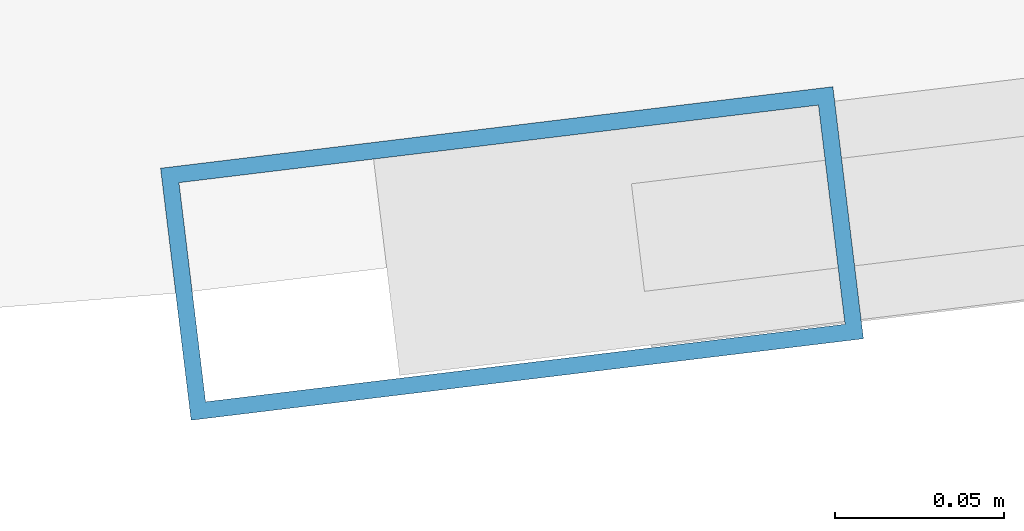
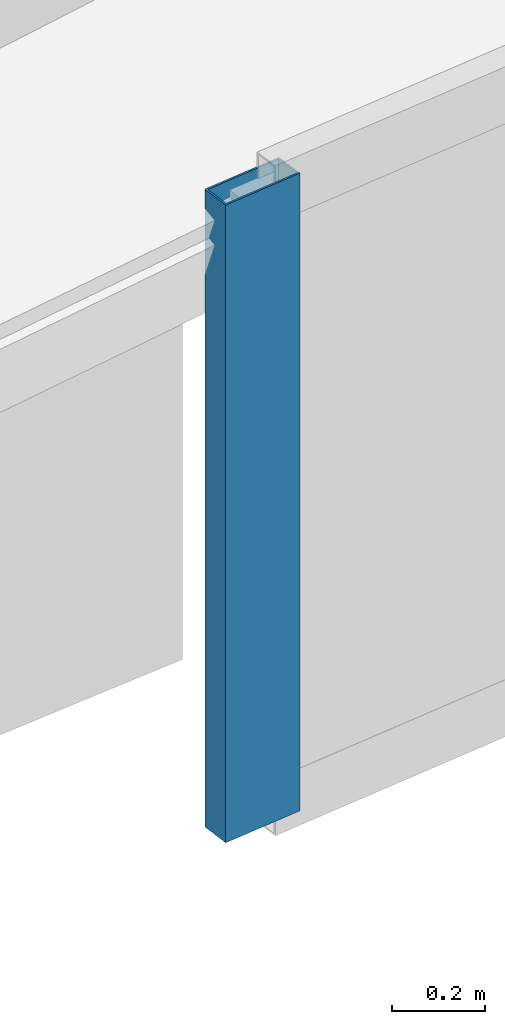
# One storey, part 4 of 21: 1 member, 1 element without a shape of its own.
"""IFC4 building model written with IfcOpenShell, lengths in metres."""

from ifc_helpers import new_model, si_unit, direction, frame, origin, origin_2d, place, context, subcontext, project, spatial, hollow_rectangle, extrude, material, layer, layer_set, material_profile, profile_set, type_object, element, aggregate, save


model = new_model("IFC4")

# Units and contexts
model_context = context("Model", 3, precision=1e-05, world=origin(), true_north=direction((0.0, 1.0)))
body_context = subcontext(model_context, "Body", "Model", "MODEL_VIEW")
ifc_project = project(units=[si_unit("LENGTHUNIT", "METRE"), si_unit("AREAUNIT", "SQUARE_METRE"), si_unit("VOLUMEUNIT", "CUBIC_METRE"), si_unit("PLANEANGLEUNIT", "RADIAN"), si_unit("MASSUNIT", "GRAM", prefix="KILO")], contexts=[model_context])

# Site, building, storey
site_placement = place(None, origin())
site = spatial("IfcSite", under=ifc_project, at=site_placement, CompositionType="ELEMENT")
building_placement = place(site_placement, origin())
building = spatial("IfcBuilding", under=site, at=building_placement, Name="Orvanel Arch Residences", CompositionType="ELEMENT")
storey_placement = place(building_placement, frame((0.0, 0.0, 314.89990234375)))
storey = spatial("IfcBuildingStorey", under=building, at=storey_placement, Name="RF", CompositionType="ELEMENT", Elevation=314.89990234375)

# Curtain wall, member
ifc_material = material(Name="Bronze-anodised aluminium AA6063-T6", Category="aluminium")
ifc_layer = layer(ifc_material, 0.2099609375)
ifc_layer_set = layer_set([ifc_layer], Name="Bronze-anodised aluminium AA6063-T6")
curtain_wall_type = type_object("IfcCurtainWallType", Name="CW7-TOP-SYS", PredefinedType="NOTDEFINED", material=ifc_layer_set)
curtain_wall_placement = place(storey_placement, origin())
curtain_wall = element("IfcCurtainWall", 1, at=curtain_wall_placement, inside=storey, type_object=curtain_wall_type, Name="RF CW7-TOP-SYS Unitised Curtain Wall", PredefinedType="NOTDEFINED")
ifc_material_profile = material_profile(ifc_material, hollow_rectangle(XDim=0.074951171875, YDim=0.199951171875, WallThickness=0.0048828125, at=origin_2d()), Name="ALU200x75x5")
ifc_profile_set = profile_set([ifc_material_profile], Name="Bronze-anodised aluminium AA6063-T6")
member_type = type_object("IfcMemberType", Name="MUL-200x75", PredefinedType="MULLION", material=ifc_profile_set)
member_placement = place(storey_placement, frame((42.538330078125, 6.471435546875, 0.0), z_axis=(0.0, 0.0, 1.0), x_axis=(-0.12039580331, 0.992725969513, 0.0)))
member = element("IfcMember", 2, at=member_placement, type_object=member_type, Name="CW-S7 mullion 1", PredefinedType="MULLION", context=body_context, shape_type="SweptSolid", body=[
    extrude(hollow_rectangle(XDim=0.074951171875, YDim=0.199951171875, WallThickness=0.0048828125, at=origin_2d()), origin(), (0.0, 0.0, 1.0), 1.675048828125),
])
aggregate(curtain_wall, [member])

save(model, "model.ifc")
